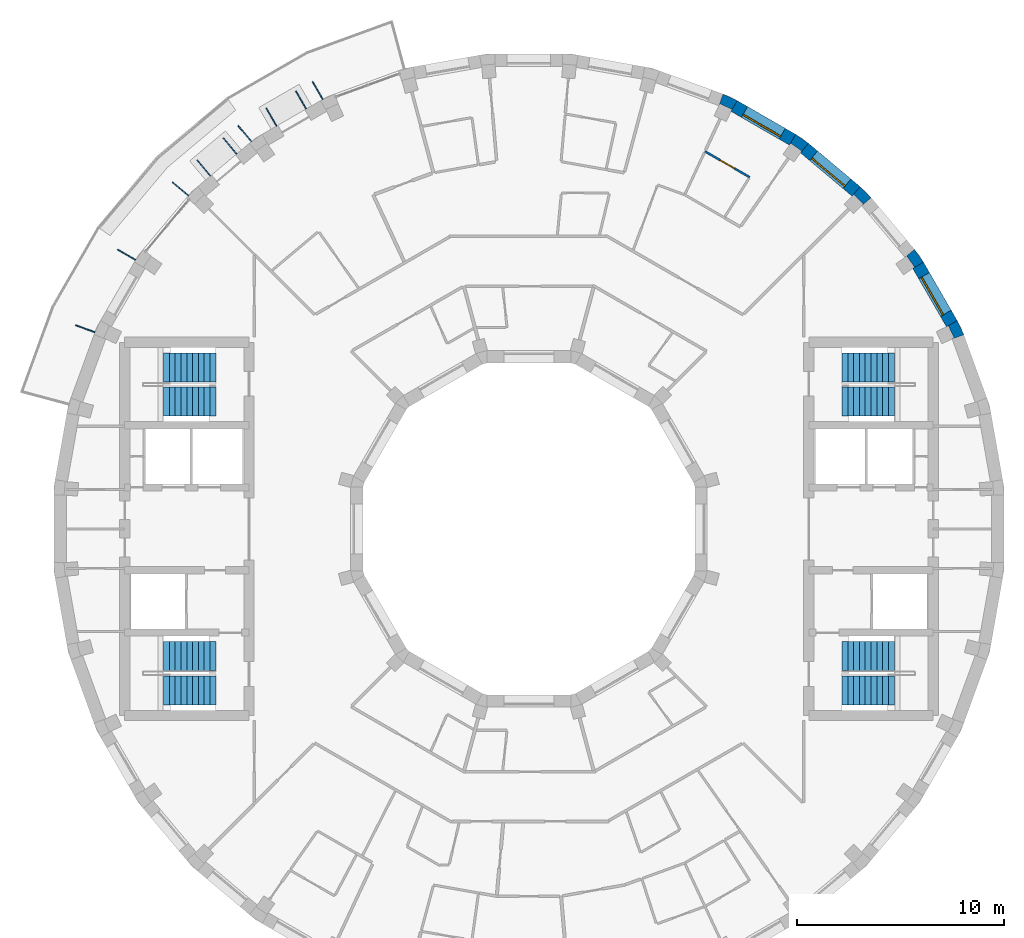
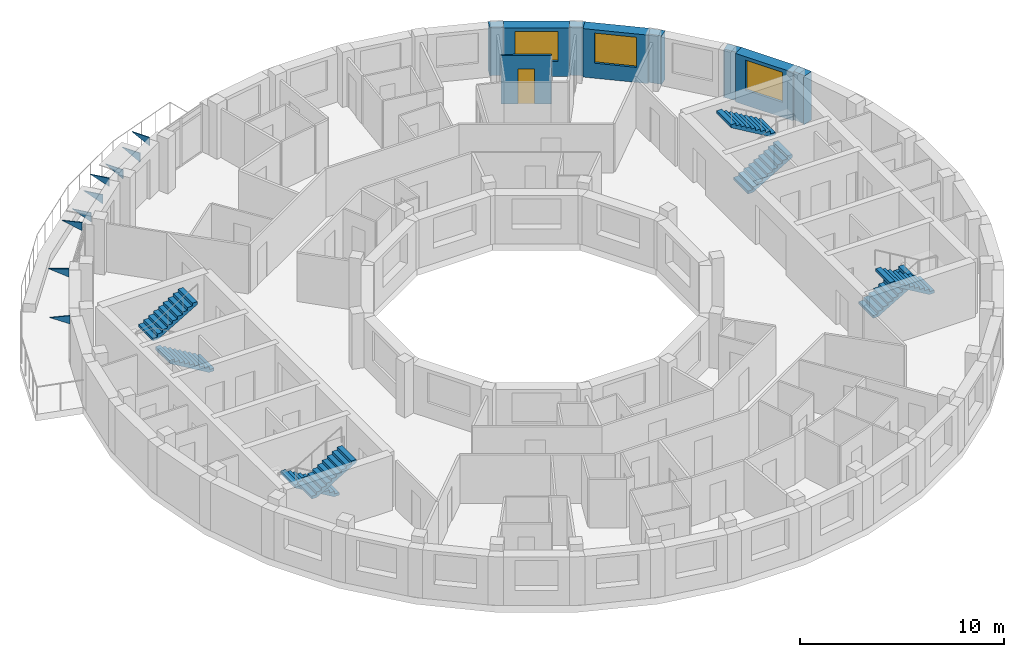
# One storey, part 11 of 12: 9 discrete accessories, 9 walls, 8 stair flights, 3 windows, 1 door, 4 openings, 4 elements without a shape of their own.
"""IFC4 building model written with IfcOpenShell, lengths in metres."""

from ifc_helpers import new_model, si_unit, direction, frame, frame_2d, origin, place, context, subcontext, project, spatial, polyline, rectangle, outline, extrude, material, layer, layer_set, type_object, element, fill, aggregate, save


model = new_model("IFC4")

# Units and contexts
model_context = context("Model", 3, precision=1e-05, world=origin(), true_north=direction((0.0, 1.0)))
body_context = subcontext(model_context, "Body", "Model", "MODEL_VIEW")
ifc_project = project(units=[si_unit("LENGTHUNIT", "METRE"), si_unit("AREAUNIT", "SQUARE_METRE"), si_unit("VOLUMEUNIT", "CUBIC_METRE"), si_unit("PLANEANGLEUNIT", "RADIAN"), si_unit("MASSUNIT", "GRAM", prefix="KILO")], contexts=[model_context])

# Site, building, storey
site_placement = place(None, origin())
site = spatial("IfcSite", under=ifc_project, at=site_placement, CompositionType="ELEMENT")
building_placement = place(site_placement, origin())
building = spatial("IfcBuilding", under=site, at=building_placement, Name="Saqina Gate Tower", CompositionType="ELEMENT")
storey_placement = place(building_placement, frame((0.0, 0.0, 233.0)))
storey = spatial("IfcBuildingStorey", under=building, at=storey_placement, Name="L66", CompositionType="ELEMENT", Elevation=233.0)

# Walls
ifc_material_1 = material(Name="Brick masonry (buff)", Category="masonry")
wall_type_1 = type_object("IfcWallType", Name="BRICK PIER COPING BUFF", PredefinedType="SOLIDWALL", material=ifc_material_1)
wall_1_placement = place(storey_placement, origin())
element("IfcWall", 1, at=wall_1_placement, inside=storey, type_object=wall_type_1, Name="Pier cap L66 column 3", PredefinedType="SOLIDWALL", context=body_context, shape_type="SweptSolid", body=[
    extrude(outline(polyline([(20.974609375, 9.3642578125), (20.65576171875, 10.048095703125), (20.135986328125, 9.748291015625), (20.23193359375, 9.79296875), (20.506591796875, 9.203857421875), (20.410888671875, 9.1591796875), (20.974609375, 9.3642578125)])), origin(), (0.0, 0.0, 1.0), 2.89990234375),
])
wall_2_placement = place(storey_placement, origin())
element("IfcWall", 2, at=wall_2_placement, inside=storey, type_object=wall_type_1, Name="Pier cap L66 column 4", PredefinedType="SOLIDWALL", context=body_context, shape_type="SweptSolid", body=[
    extrude(outline(polyline([(19.02978515625, 12.8642578125), (18.59716796875, 13.482421875), (18.137451171875, 13.0966796875), (18.22412109375, 13.157470703125), (18.596923828125, 12.625), (18.51025390625, 12.564208984375), (19.02978515625, 12.8642578125)])), origin(), (0.0, 0.0, 1.0), 2.89990234375),
])
wall_3_placement = place(storey_placement, origin())
element("IfcWall", 3, at=wall_3_placement, inside=storey, type_object=wall_type_1, Name="Pier cap L66 column 5", PredefinedType="SOLIDWALL", context=body_context, shape_type="SweptSolid", body=[
    extrude(outline(polyline([(15.973388671875, 16.5068359375), (15.587646484375, 16.04736328125), (15.662353515625, 16.1220703125), (16.1220703125, 15.662353515625), (16.04736328125, 15.587646484375), (16.5068359375, 15.973388671875), (15.973388671875, 16.5068359375)])), origin(), (0.0, 0.0, 1.0), 2.89990234375),
])
wall_4_placement = place(storey_placement, origin())
element("IfcWall", 4, at=wall_4_placement, inside=storey, type_object=wall_type_1, Name="Pier cap L66 column 6", PredefinedType="SOLIDWALL", context=body_context, shape_type="SweptSolid", body=[
    extrude(outline(polyline([(12.8642578125, 19.02978515625), (12.564208984375, 18.51025390625), (12.625, 18.596923828125), (13.157470703125, 18.22412109375), (13.0966796875, 18.137451171875), (13.482421875, 18.59716796875), (12.8642578125, 19.02978515625)])), origin(), (0.0, 0.0, 1.0), 2.89990234375),
])
wall_5_placement = place(storey_placement, origin())
element("IfcWall", 5, at=wall_5_placement, inside=storey, type_object=wall_type_1, Name="Pier cap L66 column 7", PredefinedType="SOLIDWALL", context=body_context, shape_type="SweptSolid", body=[
    extrude(outline(polyline([(10.048095703125, 20.65576171875), (9.3642578125, 20.974609375), (9.1591796875, 20.410888671875), (9.203857421875, 20.506591796875), (9.79296875, 20.23193359375), (9.748291015625, 20.135986328125), (10.048095703125, 20.65576171875)])), origin(), (0.0, 0.0, 1.0), 2.89990234375),
])

# Wall, opening, window
ifc_material_2 = material(Name="Brick masonry (buff)", Category="masonry")
ifc_layer_1 = layer(ifc_material_2, 0.60009765625)
ifc_layer_set_1 = layer_set([ifc_layer_1], Name="FW-BRICK-BUFF")
wall_type_2 = type_object("IfcWallType", Name="FW-BRICK-BUFF", PredefinedType="SOLIDWALL", material=ifc_layer_set_1)
wall_6_placement = place(storey_placement, frame((20.39599609375, 9.898193359375, 0.0), z_axis=(0.0, 0.0, 1.0), x_axis=(-0.500014901547, 0.866016800201, 0.0)))
wall_6 = element("IfcWall", 6, at=wall_6_placement, inside=storey, type_object=wall_type_2, Name="Facade wall L66 facet 3", PredefinedType="SOLIDWALL", context=body_context, shape_type="SweptSolid", body=[
    extrude(rectangle(XDim=3.251953125, YDim=0.60009765625, at=frame_2d((1.6259765625, 0.0))), origin(), (0.0, 0.0, 1.0), 2.89990234375),
])
opening_1_placement = place(wall_6_placement, frame((0.57568359375, 0.0, 0.89990234375)))
opening_1 = element("IfcOpeningElement", 7, at=opening_1_placement, cuts=wall_6, Name="Opening G19-W01", PredefinedType="OPENING", context=body_context, shape_type="SweptSolid", body=[
    extrude(rectangle(XDim=2.10009765625, YDim=1.800048828125, at=frame_2d((1.050048828125, 0.89990234375))), frame((0.0, 0.31201171875, 0.0), z_axis=(0.0, -1.0, 0.0), x_axis=(1.0, 0.0, 0.0)), (0.0, 0.0, 1.0), 0.6240234375),
])
ifc_material_3 = material(Name="Aluminium glazing", Category="aluminium")
window_type = type_object("IfcWindowType", Name="WN-D", PartitioningType="SINGLE_PANEL", PredefinedType="WINDOW", material=ifc_material_3)
window_1_placement = place(opening_1_placement, origin())
window_1 = element("IfcWindow", 8, at=window_1_placement, inside=storey, type_object=window_type, Name="Window L66 facet 3", OverallHeight=1.800048828125, OverallWidth=2.10009765625, PartitioningType="SINGLE_PANEL", PredefinedType="WINDOW", context=body_context, shape_type="SweptSolid", body=[
    extrude(rectangle(XDim=2.10009765625, YDim=1.800048828125, at=frame_2d((1.050048828125, 0.89990234375))), frame((0.0, 0.179931640625, 0.0), z_axis=(0.0, -1.0, 0.0), x_axis=(1.0, 0.0, 0.0)), (0.0, 0.0, 1.0), 0.06005859375),
])
fill(opening_1, window_1)

wall_7_placement = place(storey_placement, frame((15.780517578125, 16.277099609375, 0.0), z_axis=(0.0, 0.0, 1.0), x_axis=(-0.766056773982, 0.64277291405, 0.0)))
wall_7 = element("IfcWall", 9, at=wall_7_placement, inside=storey, type_object=wall_type_2, Name="Facade wall L66 facet 5", PredefinedType="SOLIDWALL", context=body_context, shape_type="SweptSolid", body=[
    extrude(rectangle(XDim=3.251708984375, YDim=0.60009765625, at=frame_2d((1.6259765625, 0.0))), origin(), (0.0, 0.0, 1.0), 2.89990234375),
])
opening_2_placement = place(wall_7_placement, frame((0.57568359375, 0.0, 0.89990234375)))
opening_2 = element("IfcOpeningElement", 10, at=opening_2_placement, cuts=wall_7, Name="Opening G19-W03", PredefinedType="OPENING", context=body_context, shape_type="SweptSolid", body=[
    extrude(rectangle(XDim=2.10009765625, YDim=1.800048828125, at=frame_2d((1.050048828125, 0.89990234375))), frame((0.0, 0.31201171875, 0.0), z_axis=(0.0, -1.0, 0.0), x_axis=(1.0, 0.0, 0.0)), (0.0, 0.0, 1.0), 0.6240234375),
])
window_2_placement = place(opening_2_placement, origin())
window_2 = element("IfcWindow", 11, at=window_2_placement, inside=storey, type_object=window_type, Name="Window L66 facet 5", OverallHeight=1.800048828125, OverallWidth=2.10009765625, PartitioningType="SINGLE_PANEL", PredefinedType="WINDOW", context=body_context, shape_type="SweptSolid", body=[
    extrude(rectangle(XDim=2.10009765625, YDim=1.800048828125, at=frame_2d((1.050048828125, 0.89990234375))), frame((0.0, 0.179931640625, 0.0), z_axis=(0.0, -1.0, 0.0), x_axis=(1.0, 0.0, 0.0)), (0.0, 0.0, 1.0), 0.06005859375),
])
fill(opening_2, window_2)

wall_8_placement = place(storey_placement, frame((12.71435546875, 18.77001953125, 0.0), z_axis=(0.0, 0.0, 1.0), x_axis=(-0.866016800201, 0.500014901547, 0.0)))
wall_8 = element("IfcWall", 12, at=wall_8_placement, inside=storey, type_object=wall_type_2, Name="Facade wall L66 facet 6", PredefinedType="SOLIDWALL", context=body_context, shape_type="SweptSolid", body=[
    extrude(rectangle(XDim=3.251953125, YDim=0.60009765625, at=frame_2d((1.6259765625, 0.0))), origin(), (0.0, 0.0, 1.0), 2.89990234375),
])
opening_3_placement = place(wall_8_placement, frame((0.57568359375, 0.0, 0.89990234375)))
opening_3 = element("IfcOpeningElement", 13, at=opening_3_placement, cuts=wall_8, Name="Opening G19-W04", PredefinedType="OPENING", context=body_context, shape_type="SweptSolid", body=[
    extrude(rectangle(XDim=2.10009765625, YDim=1.800048828125, at=frame_2d((1.050048828125, 0.89990234375))), frame((0.0, 0.31201171875, 0.0), z_axis=(0.0, -1.0, 0.0), x_axis=(1.0, 0.0, 0.0)), (0.0, 0.0, 1.0), 0.6240234375),
])
window_3_placement = place(opening_3_placement, origin())
window_3 = element("IfcWindow", 14, at=window_3_placement, inside=storey, type_object=window_type, Name="Window L66 facet 6", OverallHeight=1.800048828125, OverallWidth=2.10009765625, PartitioningType="SINGLE_PANEL", PredefinedType="WINDOW", context=body_context, shape_type="SweptSolid", body=[
    extrude(rectangle(XDim=2.10009765625, YDim=1.800048828125, at=frame_2d((1.050048828125, 0.89990234375))), frame((0.0, 0.179931640625, 0.0), z_axis=(0.0, -1.0, 0.0), x_axis=(1.0, 0.0, 0.0)), (0.0, 0.0, 1.0), 0.06005859375),
])
fill(opening_3, window_3)

# Wall, opening, door
ifc_material_4 = material(Name="Gypsum board on steel studs, 100 mm", Category="steel")
ifc_layer_2 = layer(ifc_material_4, 0.10009765625)
ifc_layer_set_2 = layer_set([ifc_layer_2], Name="PARTITION 100")
wall_type_3 = type_object("IfcWallType", Name="PARTITION 100", PredefinedType="PARTITIONING", material=ifc_layer_set_2)
wall_9_placement = place(storey_placement, frame((8.489990234375, 18.20703125, 0.0), z_axis=(0.0, 0.0, 1.0), x_axis=(0.866063163075, -0.499934593286, 0.0)))
wall_9 = element("IfcWall", 15, at=wall_9_placement, inside=storey, type_object=wall_type_3, Name="PARTITION PW3-19", PredefinedType="PARTITIONING", context=body_context, shape_type="SweptSolid", body=[
    extrude(rectangle(XDim=2.490478515625, YDim=0.10009765625, at=frame_2d((1.2451171875, 0.0))), origin(), (0.0, 0.0, 1.0), 2.89990234375),
])
opening_4_placement = place(wall_9_placement, frame((0.84521484375, 0.0, 0.0)))
opening_4 = element("IfcOpeningElement", 16, at=opening_4_placement, cuts=wall_9, Name="Opening G19-D06", PredefinedType="OPENING", context=body_context, shape_type="SweptSolid", body=[
    extrude(rectangle(XDim=0.800048828125, YDim=2.10009765625, at=frame_2d((0.39990234375, 1.050048828125))), frame((0.0, 0.06201171875, 0.0), z_axis=(0.0, -1.0, 0.0), x_axis=(1.0, 0.0, 0.0)), (0.0, 0.0, 1.0), 0.1240234375),
])
ifc_material_5 = material(Name="Timber door leaf, 800 mm", Category="wood")
door_type = type_object("IfcDoorType", Name="DOOR 800 TIMBER", OperationType="SINGLE_SWING_LEFT", PredefinedType="DOOR", material=ifc_material_5)
door_placement = place(opening_4_placement, origin())
door = element("IfcDoor", 17, at=door_placement, inside=storey, type_object=door_type, Name="DOOR G19-D06", OperationType="SINGLE_SWING_RIGHT", OverallHeight=2.10009765625, OverallWidth=0.800048828125, PredefinedType="DOOR", context=body_context, shape_type="SweptSolid", body=[
    extrude(rectangle(XDim=0.800048828125, YDim=2.10009765625, at=frame_2d((0.39990234375, 1.050048828125))), frame((0.0, 0.02490234375, 0.0), z_axis=(0.0, -1.0, 0.0), x_axis=(1.0, 0.0, 0.0)), (0.0, 0.0, 1.0), 0.050048828125),
])
fill(opening_4, door)

# Stair, stair flights
ifc_material_6 = material(Name="Concrete C40/50", Category="concrete")
stair_type = type_object("IfcStairType", Name="EXIT STAIR", PredefinedType="HALF_TURN_STAIR", material=ifc_material_6)
stair_1_placement = place(storey_placement, origin())
stair_1 = element("IfcStair", 18, at=stair_1_placement, inside=storey, type_object=stair_type, Name="EXIT STAIR 1", PredefinedType="HALF_TURN_STAIR")
ifc_material_7 = material(Name="Concrete C40/50", Category="concrete")
stair_flight_type = type_object("IfcStairFlightType", Name="EXIT STAIR FLIGHT", PredefinedType="STRAIGHT", material=ifc_material_7)
stair_flight_1_placement = place(storey_placement, frame((15.10009765625, 6.13330078125, 0.0), z_axis=(0.0, 0.0, 1.0), x_axis=(1.0, 0.0, 0.0)))
stair_flight_1 = element("IfcStairFlight", 19, at=stair_flight_1_placement, type_object=stair_flight_type, Name="EXIT STAIR 1 FLIGHT 1", NumberOfRisers=10, NumberOfTreads=9, PredefinedType="STRAIGHT", RiserHeight=0.165, TreadLength=0.28, context=body_context, shape_type="SweptSolid", body=[
    extrude(outline(polyline([(0.0, 0.0), (0.0, 0.1650390625), (0.280029296875, 0.1650390625), (0.280029296875, 0.330078125), (0.56005859375, 0.330078125), (0.56005859375, 0.4951171875), (0.840087890625, 0.4951171875), (0.840087890625, 0.659912109375), (1.1201171875, 0.659912109375), (1.1201171875, 0.824951171875), (1.39990234375, 0.824951171875), (1.39990234375, 0.989990234375), (1.679931640625, 0.989990234375), (1.679931640625, 1.155029296875), (1.9599609375, 1.155029296875), (1.9599609375, 1.320068359375), (2.239990234375, 1.320068359375), (2.239990234375, 1.485107421875), (2.52001953125, 1.485107421875), (2.52001953125, 1.64990234375), (2.52001953125, 1.31103515625), (0.295166015625, 0.0), (0.0, 0.0)])), frame((0.0, 0.699951171875, 0.0), z_axis=(0.0, -1.0, 0.0), x_axis=(1.0, 0.0, 0.0)), (0.0, 0.0, 1.0), 1.39990234375),
])
stair_flight_2_placement = place(storey_placement, frame((17.6201171875, 7.791748046875, 1.64990234375), z_axis=(0.0, 0.0, 1.0), x_axis=(-1.0, 0.0, 0.0)))
stair_flight_2 = element("IfcStairFlight", 20, at=stair_flight_2_placement, type_object=stair_flight_type, Name="EXIT STAIR 1 FLIGHT 2", NumberOfRisers=10, NumberOfTreads=9, PredefinedType="STRAIGHT", RiserHeight=0.165, TreadLength=0.28, context=body_context, shape_type="SweptSolid", body=[
    extrude(outline(polyline([(0.0, 0.0), (0.0, 0.1650390625), (0.280029296875, 0.1650390625), (0.280029296875, 0.330078125), (0.56005859375, 0.330078125), (0.56005859375, 0.4951171875), (0.840087890625, 0.4951171875), (0.840087890625, 0.659912109375), (1.1201171875, 0.659912109375), (1.1201171875, 0.824951171875), (1.39990234375, 0.824951171875), (1.39990234375, 0.989990234375), (1.679931640625, 0.989990234375), (1.679931640625, 1.155029296875), (1.9599609375, 1.155029296875), (1.9599609375, 1.320068359375), (2.239990234375, 1.320068359375), (2.239990234375, 1.485107421875), (2.52001953125, 1.485107421875), (2.52001953125, 1.64990234375), (2.52001953125, 1.31103515625), (0.295166015625, 0.0), (0.0, 0.0)])), frame((0.0, 0.699951171875, 0.0), z_axis=(0.0, -1.0, 0.0), x_axis=(1.0, 0.0, 0.0)), (0.0, 0.0, 1.0), 1.39990234375),
])
aggregate(stair_1, [stair_flight_1, stair_flight_2])

stair_2_placement = place(storey_placement, origin())
stair_2 = element("IfcStair", 21, at=stair_2_placement, inside=storey, type_object=stair_type, Name="EXIT STAIR 2", PredefinedType="HALF_TURN_STAIR")
stair_flight_3_placement = place(storey_placement, frame((15.10009765625, -6.13330078125, 0.0), z_axis=(0.0, 0.0, 1.0), x_axis=(1.0, 0.0, 0.0)))
stair_flight_3 = element("IfcStairFlight", 22, at=stair_flight_3_placement, type_object=stair_flight_type, Name="EXIT STAIR 2 FLIGHT 1", NumberOfRisers=10, NumberOfTreads=9, PredefinedType="STRAIGHT", RiserHeight=0.165, TreadLength=0.28, context=body_context, shape_type="SweptSolid", body=[
    extrude(outline(polyline([(0.0, 0.0), (0.0, 0.1650390625), (0.280029296875, 0.1650390625), (0.280029296875, 0.330078125), (0.56005859375, 0.330078125), (0.56005859375, 0.4951171875), (0.840087890625, 0.4951171875), (0.840087890625, 0.659912109375), (1.1201171875, 0.659912109375), (1.1201171875, 0.824951171875), (1.39990234375, 0.824951171875), (1.39990234375, 0.989990234375), (1.679931640625, 0.989990234375), (1.679931640625, 1.155029296875), (1.9599609375, 1.155029296875), (1.9599609375, 1.320068359375), (2.239990234375, 1.320068359375), (2.239990234375, 1.485107421875), (2.52001953125, 1.485107421875), (2.52001953125, 1.64990234375), (2.52001953125, 1.31103515625), (0.295166015625, 0.0), (0.0, 0.0)])), frame((0.0, 0.699951171875, 0.0), z_axis=(0.0, -1.0, 0.0), x_axis=(1.0, 0.0, 0.0)), (0.0, 0.0, 1.0), 1.39990234375),
])
stair_flight_4_placement = place(storey_placement, frame((17.6201171875, -7.791748046875, 1.64990234375), z_axis=(0.0, 0.0, 1.0), x_axis=(-1.0, 0.0, 0.0)))
stair_flight_4 = element("IfcStairFlight", 23, at=stair_flight_4_placement, type_object=stair_flight_type, Name="EXIT STAIR 2 FLIGHT 2", NumberOfRisers=10, NumberOfTreads=9, PredefinedType="STRAIGHT", RiserHeight=0.165, TreadLength=0.28, context=body_context, shape_type="SweptSolid", body=[
    extrude(outline(polyline([(0.0, 0.0), (0.0, 0.1650390625), (0.280029296875, 0.1650390625), (0.280029296875, 0.330078125), (0.56005859375, 0.330078125), (0.56005859375, 0.4951171875), (0.840087890625, 0.4951171875), (0.840087890625, 0.659912109375), (1.1201171875, 0.659912109375), (1.1201171875, 0.824951171875), (1.39990234375, 0.824951171875), (1.39990234375, 0.989990234375), (1.679931640625, 0.989990234375), (1.679931640625, 1.155029296875), (1.9599609375, 1.155029296875), (1.9599609375, 1.320068359375), (2.239990234375, 1.320068359375), (2.239990234375, 1.485107421875), (2.52001953125, 1.485107421875), (2.52001953125, 1.64990234375), (2.52001953125, 1.31103515625), (0.295166015625, 0.0), (0.0, 0.0)])), frame((0.0, 0.699951171875, 0.0), z_axis=(0.0, -1.0, 0.0), x_axis=(1.0, 0.0, 0.0)), (0.0, 0.0, 1.0), 1.39990234375),
])
aggregate(stair_2, [stair_flight_3, stair_flight_4])

stair_3_placement = place(storey_placement, origin())
stair_3 = element("IfcStair", 24, at=stair_3_placement, inside=storey, type_object=stair_type, Name="EXIT STAIR 3", PredefinedType="HALF_TURN_STAIR")
stair_flight_5_placement = place(storey_placement, frame((-15.10009765625, 6.13330078125, 0.0), z_axis=(0.0, 0.0, 1.0), x_axis=(-1.0, 0.0, 0.0)))
stair_flight_5 = element("IfcStairFlight", 25, at=stair_flight_5_placement, type_object=stair_flight_type, Name="EXIT STAIR 3 FLIGHT 1", NumberOfRisers=10, NumberOfTreads=9, PredefinedType="STRAIGHT", RiserHeight=0.165, TreadLength=0.28, context=body_context, shape_type="SweptSolid", body=[
    extrude(outline(polyline([(0.0, 0.0), (0.0, 0.1650390625), (0.280029296875, 0.1650390625), (0.280029296875, 0.330078125), (0.56005859375, 0.330078125), (0.56005859375, 0.4951171875), (0.840087890625, 0.4951171875), (0.840087890625, 0.659912109375), (1.1201171875, 0.659912109375), (1.1201171875, 0.824951171875), (1.39990234375, 0.824951171875), (1.39990234375, 0.989990234375), (1.679931640625, 0.989990234375), (1.679931640625, 1.155029296875), (1.9599609375, 1.155029296875), (1.9599609375, 1.320068359375), (2.239990234375, 1.320068359375), (2.239990234375, 1.485107421875), (2.52001953125, 1.485107421875), (2.52001953125, 1.64990234375), (2.52001953125, 1.31103515625), (0.295166015625, 0.0), (0.0, 0.0)])), frame((0.0, 0.699951171875, 0.0), z_axis=(0.0, -1.0, 0.0), x_axis=(1.0, 0.0, 0.0)), (0.0, 0.0, 1.0), 1.39990234375),
])
stair_flight_6_placement = place(storey_placement, frame((-17.6201171875, 7.791748046875, 1.64990234375), z_axis=(0.0, 0.0, 1.0), x_axis=(1.0, 0.0, 0.0)))
stair_flight_6 = element("IfcStairFlight", 26, at=stair_flight_6_placement, type_object=stair_flight_type, Name="EXIT STAIR 3 FLIGHT 2", NumberOfRisers=10, NumberOfTreads=9, PredefinedType="STRAIGHT", RiserHeight=0.165, TreadLength=0.28, context=body_context, shape_type="SweptSolid", body=[
    extrude(outline(polyline([(0.0, 0.0), (0.0, 0.1650390625), (0.280029296875, 0.1650390625), (0.280029296875, 0.330078125), (0.56005859375, 0.330078125), (0.56005859375, 0.4951171875), (0.840087890625, 0.4951171875), (0.840087890625, 0.659912109375), (1.1201171875, 0.659912109375), (1.1201171875, 0.824951171875), (1.39990234375, 0.824951171875), (1.39990234375, 0.989990234375), (1.679931640625, 0.989990234375), (1.679931640625, 1.155029296875), (1.9599609375, 1.155029296875), (1.9599609375, 1.320068359375), (2.239990234375, 1.320068359375), (2.239990234375, 1.485107421875), (2.52001953125, 1.485107421875), (2.52001953125, 1.64990234375), (2.52001953125, 1.31103515625), (0.295166015625, 0.0), (0.0, 0.0)])), frame((0.0, 0.699951171875, 0.0), z_axis=(0.0, -1.0, 0.0), x_axis=(1.0, 0.0, 0.0)), (0.0, 0.0, 1.0), 1.39990234375),
])
aggregate(stair_3, [stair_flight_5, stair_flight_6])

stair_4_placement = place(storey_placement, origin())
stair_4 = element("IfcStair", 27, at=stair_4_placement, inside=storey, type_object=stair_type, Name="EXIT STAIR 4", PredefinedType="HALF_TURN_STAIR")
stair_flight_7_placement = place(storey_placement, frame((-15.10009765625, -6.13330078125, 0.0), z_axis=(0.0, 0.0, 1.0), x_axis=(-1.0, 0.0, 0.0)))
stair_flight_7 = element("IfcStairFlight", 28, at=stair_flight_7_placement, type_object=stair_flight_type, Name="EXIT STAIR 4 FLIGHT 1", NumberOfRisers=10, NumberOfTreads=9, PredefinedType="STRAIGHT", RiserHeight=0.165, TreadLength=0.28, context=body_context, shape_type="SweptSolid", body=[
    extrude(outline(polyline([(0.0, 0.0), (0.0, 0.1650390625), (0.280029296875, 0.1650390625), (0.280029296875, 0.330078125), (0.56005859375, 0.330078125), (0.56005859375, 0.4951171875), (0.840087890625, 0.4951171875), (0.840087890625, 0.659912109375), (1.1201171875, 0.659912109375), (1.1201171875, 0.824951171875), (1.39990234375, 0.824951171875), (1.39990234375, 0.989990234375), (1.679931640625, 0.989990234375), (1.679931640625, 1.155029296875), (1.9599609375, 1.155029296875), (1.9599609375, 1.320068359375), (2.239990234375, 1.320068359375), (2.239990234375, 1.485107421875), (2.52001953125, 1.485107421875), (2.52001953125, 1.64990234375), (2.52001953125, 1.31103515625), (0.295166015625, 0.0), (0.0, 0.0)])), frame((0.0, 0.699951171875, 0.0), z_axis=(0.0, -1.0, 0.0), x_axis=(1.0, 0.0, 0.0)), (0.0, 0.0, 1.0), 1.39990234375),
])
stair_flight_8_placement = place(storey_placement, frame((-17.6201171875, -7.791748046875, 1.64990234375), z_axis=(0.0, 0.0, 1.0), x_axis=(1.0, 0.0, 0.0)))
stair_flight_8 = element("IfcStairFlight", 29, at=stair_flight_8_placement, type_object=stair_flight_type, Name="EXIT STAIR 4 FLIGHT 2", NumberOfRisers=10, NumberOfTreads=9, PredefinedType="STRAIGHT", RiserHeight=0.165, TreadLength=0.28, context=body_context, shape_type="SweptSolid", body=[
    extrude(outline(polyline([(0.0, 0.0), (0.0, 0.1650390625), (0.280029296875, 0.1650390625), (0.280029296875, 0.330078125), (0.56005859375, 0.330078125), (0.56005859375, 0.4951171875), (0.840087890625, 0.4951171875), (0.840087890625, 0.659912109375), (1.1201171875, 0.659912109375), (1.1201171875, 0.824951171875), (1.39990234375, 0.824951171875), (1.39990234375, 0.989990234375), (1.679931640625, 0.989990234375), (1.679931640625, 1.155029296875), (1.9599609375, 1.155029296875), (1.9599609375, 1.320068359375), (2.239990234375, 1.320068359375), (2.239990234375, 1.485107421875), (2.52001953125, 1.485107421875), (2.52001953125, 1.64990234375), (2.52001953125, 1.31103515625), (0.295166015625, 0.0), (0.0, 0.0)])), frame((0.0, 0.699951171875, 0.0), z_axis=(0.0, -1.0, 0.0), x_axis=(1.0, 0.0, 0.0)), (0.0, 0.0, 1.0), 1.39990234375),
])
aggregate(stair_4, [stair_flight_7, stair_flight_8])

# Discrete accessories
ifc_material_8 = material(Name="Galvanised steel", Category="steel")
ifc_layer_3 = layer(ifc_material_8, 0.050048828125)
ifc_layer_set_3 = layer_set([ifc_layer_3], Name="BR-AWNING")
discrete_accessory_type_1 = type_object("IfcDiscreteAccessoryType", Name="BR-AWNING", PredefinedType="BRACKET", material=ifc_layer_set_3)
for number, where, z_axis, x_axis, name in (
    (30, (-10.7626953125, 20.2431640625, 1.97509765625), (-0.866010750942, -0.50002537861, 0.0), (0.0, 0.0, 1.0), "Awning bracket L66 facet 12"),
    (31, (-12.193115234375, 19.41748046875, 1.97509765625), (-0.866010750942, -0.50002537861, 0.0), (0.0, 0.0, 1.0), "Awning bracket L66 facet 12"),
):
    element("IfcDiscreteAccessory", number, at=place(storey_placement, frame(where, z_axis=z_axis, x_axis=x_axis)), inside=storey, type_object=discrete_accessory_type_1, Name=name, PredefinedType="BRACKET", context=body_context, shape_type="SweptSolid", body=[
        extrude(outline(polyline([(0.0, 0.0), (0.5498046875, 0.0), (0.5498046875, 0.9999492453569568), (0.0, 0.0)])), origin(), (0.0, 0.0, -1.0), 0.050048828125),
    ])
discrete_accessory_1_placement = place(storey_placement, frame((-14.114501953125, 18.06689453125, 1.97509765625), z_axis=(-0.766075170812, -0.64275098807, 0.0), x_axis=(0.0, 0.0, 1.0)))
element("IfcDiscreteAccessory", 32, at=discrete_accessory_1_placement, inside=storey, type_object=discrete_accessory_type_1, Name="Awning bracket L66 facet 13", PredefinedType="BRACKET", context=body_context, shape_type="SweptSolid", body=[
    extrude(outline(polyline([(0.0, 0.0), (0.5498046875, 0.0), (0.5498046875, 0.9997310574800564), (0.0, 0.0)])), origin(), (0.0, 0.0, -1.0), 0.050048828125),
])
discrete_accessory_2_placement = place(storey_placement, frame((-15.379638671875, 17.005126953125, 1.97509765625), z_axis=(-0.765954930181, -0.642894271969, 0.0), x_axis=(0.0, 0.0, 1.0)))
element("IfcDiscreteAccessory", 33, at=discrete_accessory_2_placement, inside=storey, type_object=discrete_accessory_type_1, Name="Awning bracket L66 facet 13", PredefinedType="BRACKET", context=body_context, shape_type="SweptSolid", body=[
    extrude(outline(polyline([(0.0, 0.0), (0.5498046875, 0.0), (0.5498046875, 0.9998879966000863), (0.0, 0.0)])), origin(), (0.0, 0.0, -1.0), 0.050048828125),
])
ifc_material_9 = material(Name="Galvanised steel", Category="steel")
ifc_layer_4 = layer(ifc_material_9, 0.050048828125)
ifc_layer_set_4 = layer_set([ifc_layer_4], Name="BR-GUSSET")
discrete_accessory_type_2 = type_object("IfcDiscreteAccessoryType", Name="BR-GUSSET", PredefinedType="BRACKET", material=ifc_layer_set_4)
discrete_accessory_3_placement = place(storey_placement, frame((-9.95849609375, 20.70751953125, 2.39990234375), z_axis=(-0.866010750942, -0.50002537861, 0.0), x_axis=(0.0, 0.0, 1.0)))
element("IfcDiscreteAccessory", 34, at=discrete_accessory_3_placement, inside=storey, type_object=discrete_accessory_type_2, Name="Terrace slab bracket L67 1", PredefinedType="BRACKET", context=body_context, shape_type="SweptSolid", body=[
    extrude(outline(polyline([(0.0, 0.0), (0.5, 0.0), (0.5, 0.9999492453569568), (0.0, 0.0)])), origin(), (0.0, 0.0, -1.0), 0.050048828125),
])
discrete_accessory_4_placement = place(storey_placement, frame((-13.40283203125, 18.663818359375, 2.39990234375), z_axis=(-0.765954930181, -0.642894271969, 0.0), x_axis=(0.0, 0.0, 1.0)))
element("IfcDiscreteAccessory", 35, at=discrete_accessory_4_placement, inside=storey, type_object=discrete_accessory_type_2, Name="Terrace slab bracket L67 2", PredefinedType="BRACKET", context=body_context, shape_type="SweptSolid", body=[
    extrude(outline(polyline([(0.0, 0.0), (0.5, 0.0), (0.5, 0.9998879966000863), (0.0, 0.0)])), origin(), (0.0, 0.0, -1.0), 0.050048828125),
])
discrete_accessory_5_placement = place(storey_placement, frame((-16.440185546875, 16.052734375, 2.39990234375), z_axis=(-0.64277405138, -0.766055819685, 0.0), x_axis=(0.0, 0.0, 1.0)))
element("IfcDiscreteAccessory", 36, at=discrete_accessory_5_placement, inside=storey, type_object=discrete_accessory_type_2, Name="Terrace slab bracket L67 3", PredefinedType="BRACKET", context=body_context, shape_type="SweptSolid", body=[
    extrude(outline(polyline([(0.0, 0.0), (0.5, 0.0), (0.5, 1.0000750096322275), (0.0, 0.0)])), origin(), (0.0, 0.0, -1.0), 0.050048828125),
])
discrete_accessory_6_placement = place(storey_placement, frame((-18.97802734375, 12.9541015625, 2.39990234375), z_axis=(-0.50002537861, -0.866010750942, 0.0), x_axis=(0.0, 0.0, 1.0)))
element("IfcDiscreteAccessory", 37, at=discrete_accessory_6_placement, inside=storey, type_object=discrete_accessory_type_2, Name="Terrace slab bracket L67 4", PredefinedType="BRACKET", context=body_context, shape_type="SweptSolid", body=[
    extrude(outline(polyline([(0.0, 0.0), (0.5, 0.0), (0.5, 0.9999492453569568), (0.0, 0.0)])), origin(), (0.0, 0.0, -1.0), 0.050048828125),
])
discrete_accessory_7_placement = place(storey_placement, frame((-20.939208984375, 9.4619140625, 2.39990234375), z_axis=(-0.341821477669, -0.939764905391, 0.0), x_axis=(0.0, 0.0, 1.0)))
element("IfcDiscreteAccessory", 38, at=discrete_accessory_7_placement, inside=storey, type_object=discrete_accessory_type_2, Name="Terrace slab bracket L67 5", PredefinedType="BRACKET", context=body_context, shape_type="SweptSolid", body=[
    extrude(outline(polyline([(0.0, 0.0), (0.5, 0.0), (0.5, 0.999928024801219), (0.0, 0.0)])), origin(), (0.0, 0.0, -1.0), 0.050048828125),
])

save(model, "model.ifc")
